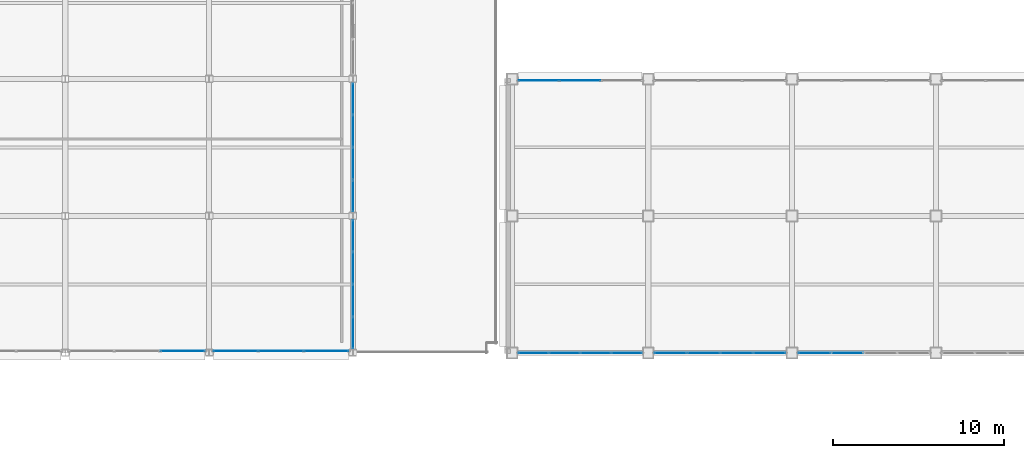
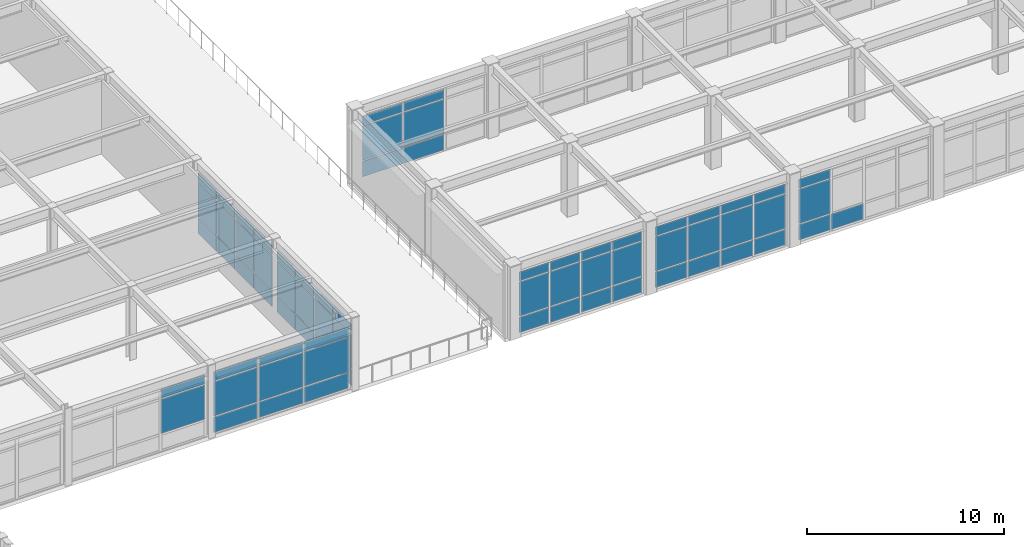
# One storey, part 66 of 93: 69 plates, 8 elements without a shape of their own.
"""IFC4 building model written with IfcOpenShell, lengths in metres."""

import ifcopenshell
import ifcopenshell.guid

model = None  # the IFC model being written
_history = None  # IfcOwnerHistory: only IFC2X3 demands one
_inside = {}  # id of a spatial element -> (the spatial element, [elements in it])
_under = {}  # id of a project, library or spatial element -> (it, [spatial elements below it])
_declared = {}  # id of a project -> (the project, [libraries it declares])
_typed = {}  # id of a type object -> (the type object, [elements of that type])
_made_of = {}  # id of a material, layer set ... -> (it, [elements and type objects made of it])


def new_model(schema):
    """Start an empty IFC model of exactly this schema.

    Asked for "IFC4X3", IfcOpenShell would pick the latest addendum, in which some entities
    have other attributes; the version numbers below select the first issue.
    IFC2X3 requires an IfcOwnerHistory on every rooted entity: one is made here for all.
    """
    global model, _history
    if schema == "IFC4X3":
        model = ifcopenshell.file(schema_version=(4, 3, 0, 0))
    else:
        model = ifcopenshell.file(schema=schema)
    _inside.clear()
    _under.clear()
    _declared.clear()
    _typed.clear()
    _made_of.clear()
    _history = None
    if model.schema == "IFC2X3":
        org = make("IfcOrganization", Name="unknown")
        user = make(
            "IfcPersonAndOrganization",
            ThePerson=make("IfcPerson", FamilyName="unknown"),
            TheOrganization=org,
        )
        app = make(
            "IfcApplication",
            ApplicationDeveloper=org,
            Version="unknown",
            ApplicationFullName="unknown",
            ApplicationIdentifier="unknown",
        )
        _history = make(
            "IfcOwnerHistory",
            OwningUser=user,
            OwningApplication=app,
            ChangeAction="ADDED",
            CreationDate=0,
        )
    return model


def make(cls, **values):
    """One entity of the class cls with the attributes given. An attribute that is None is left unset."""
    return model.create_entity(
        cls, **{name: value for name, value in values.items() if value is not None}
    )


def rooted(cls, **values):
    """An entity with a GlobalId (a new one), such as an element, a storey or a relation."""
    return make(cls, GlobalId=ifcopenshell.guid.new(), OwnerHistory=_history, **values)


def si_unit(unit_type, name, prefix=None):
    """IfcSIUnit, for example si_unit("LENGTHUNIT", "METRE", prefix="MILLI")."""
    return make("IfcSIUnit", UnitType=unit_type, Prefix=prefix, Name=name)


def assignment(units):
    """IfcUnitAssignment: the units of a project."""
    return None if units is None else make("IfcUnitAssignment", Units=units)


def point(xyz):
    """IfcCartesianPoint."""
    return None if xyz is None else make("IfcCartesianPoint", Coordinates=xyz)


def direction(xyz):
    """IfcDirection."""
    return None if xyz is None else make("IfcDirection", DirectionRatios=xyz)


def frame(location, z_axis=None, x_axis=None):
    """IfcAxis2Placement3D, a coordinate frame: its origin and axes. An axis left out is left unset."""
    return make(
        "IfcAxis2Placement3D",
        Location=point(location),
        Axis=direction(z_axis),
        RefDirection=direction(x_axis),
    )


def frame_2d(location, x_axis=None):
    """IfcAxis2Placement2D, a coordinate frame in the plane: its origin and x axis."""
    return make(
        "IfcAxis2Placement2D", Location=point(location), RefDirection=direction(x_axis)
    )


def origin():
    """The frame at (0, 0, 0) with its axes left unset."""
    return frame((0.0, 0.0, 0.0))


def origin_2d():
    """The frame at (0, 0) in the plane with its x axis left unset."""
    return frame_2d((0.0, 0.0))


def place(relative_to, where):
    """IfcLocalPlacement: puts the frame where relative to a parent placement (None: the world)."""
    return make(
        "IfcLocalPlacement", PlacementRelTo=relative_to, RelativePlacement=where
    )


def context(
    kind, dimensions, precision=None, world=None, true_north=None, identifier=None
):
    """IfcGeometricRepresentationContext, for example the 3D "Model" context."""
    return make(
        "IfcGeometricRepresentationContext",
        ContextIdentifier=identifier,
        ContextType=kind,
        CoordinateSpaceDimension=dimensions,
        Precision=precision,
        WorldCoordinateSystem=world,
        TrueNorth=true_north,
    )


def subcontext(parent, identifier, kind, view, scale=None):
    """IfcGeometricRepresentationSubContext, for example "Body" below "Model"."""
    return make(
        "IfcGeometricRepresentationSubContext",
        ContextIdentifier=identifier,
        ContextType=kind,
        ParentContext=parent,
        TargetScale=scale,
        TargetView=view,
    )


def project(units=None, contexts=None):
    """IfcProject with its units and contexts."""
    return rooted(
        "IfcProject",
        Name="project",
        RepresentationContexts=contexts,
        UnitsInContext=assignment(units),
    )


def spatial(cls, under=None, at=None, **own):
    """A site, building, storey or space (cls), placed at a placement, below another one or the project."""
    s = rooted(cls, ObjectPlacement=at, **own)
    if under is not None:
        _under.setdefault(under.id(), (under, []))[1].append(s)
    return s


def profile(cls, at=None, kind="AREA", **sizes):
    """A parametric profile (cls). Its sizes go by their IFC names, for example OverallWidth=200.0."""
    return make(cls, ProfileType=kind, Position=at, **sizes)


def rectangle(**sizes):
    """IfcRectangleProfileDef."""
    return profile("IfcRectangleProfileDef", **sizes)


def extrude(swept, where, along, depth):
    """IfcExtrudedAreaSolid: the profile swept, set in the frame where, extruded along a direction by depth."""
    return make(
        "IfcExtrudedAreaSolid",
        SweptArea=swept,
        Position=where,
        ExtrudedDirection=direction(along),
        Depth=depth,
    )


def shape(context_of_items, identifier, shape_type, items):
    """IfcShapeRepresentation: the items that make up one representation, for example the "Body"."""
    return make(
        "IfcShapeRepresentation",
        ContextOfItems=context_of_items,
        RepresentationIdentifier=identifier,
        RepresentationType=shape_type,
        Items=items,
    )


def material(Name=None, Category=None):
    """IfcMaterial."""
    return make("IfcMaterial", Name=Name, Category=Category)


def layer(
    of_material, thickness, ventilated=None, Name=None, Category=None, Priority=None
):
    """IfcMaterialLayer: one layer of a wall or slab, of a material (None: an air gap)."""
    return make(
        "IfcMaterialLayer",
        Material=of_material,
        LayerThickness=thickness,
        IsVentilated=ventilated,
        Name=Name,
        Category=Category,
        Priority=Priority,
    )


def layer_set(layers, Name=None):
    """IfcMaterialLayerSet."""
    return make("IfcMaterialLayerSet", MaterialLayers=layers, LayerSetName=Name)


def made_of(thing, what):
    """Note that an element or type object is made of a material, layer set ...; save() writes the relation."""
    if what is not None:
        _made_of.setdefault(what.id(), (what, []))[1].append(thing)
    return thing


def type_object(cls, material=None, **own):
    """A type object (cls), such as IfcWallType, which elements share."""
    return made_of(rooted(cls, **own), material)


def element(
    cls,
    number,
    at=None,
    inside=None,
    cuts=None,
    type_object=None,
    material=None,
    context=None,
    identifier="Body",
    shape_type=None,
    held_by="IfcProductDefinitionShape",
    body=None,
    shapes=None,
    **own,
):
    """One element of the class cls, such as IfcWall. Its Tag is "e" and its number.

    at: its placement. inside: the storey or other place that contains it. cuts: it is an
    opening in that element (IfcRelVoidsElement). A single representation is given by context,
    identifier, shape_type and body (its items); several are given by shapes. held_by: the class
    of the entity that holds the representations. save() writes the other relations.
    """
    e = rooted(cls, Tag="e%d" % number, ObjectPlacement=at, **own)
    if body is not None:
        shapes = [shape(context, identifier, shape_type, body)]
    if shapes is not None:
        e.Representation = make(held_by, Representations=shapes)
    if inside is not None:
        _inside.setdefault(inside.id(), (inside, []))[1].append(e)
    if cuts is not None:
        rooted(
            "IfcRelVoidsElement", RelatingBuildingElement=cuts, RelatedOpeningElement=e
        )
    if type_object is not None:
        _typed.setdefault(type_object.id(), (type_object, []))[1].append(e)
    return made_of(e, material)


def aggregate(whole, parts):
    """IfcRelAggregates: a whole, such as a stair, and the parts it consists of."""
    return rooted("IfcRelAggregates", RelatingObject=whole, RelatedObjects=parts)


def save(model, path):
    """Write the relations noted so far, then the file.

    IfcRelAggregates (storeys below a building ...), IfcRelContainedInSpatialStructure (elements
    in a storey), IfcRelDefinesByType, IfcRelAssociatesMaterial and IfcRelDeclares: one each for
    every whole, place, type object, material and project.
    """
    for whole, parts in _under.values():
        aggregate(whole, parts)
    for where, things in _inside.values():
        rooted(
            "IfcRelContainedInSpatialStructure",
            RelatedElements=things,
            RelatingStructure=where,
        )
    for kind, things in _typed.values():
        rooted("IfcRelDefinesByType", RelatedObjects=things, RelatingType=kind)
    for what, things in _made_of.values():
        rooted("IfcRelAssociatesMaterial", RelatedObjects=things, RelatingMaterial=what)
    for by, libraries in _declared.values():
        rooted("IfcRelDeclares", RelatingContext=by, RelatedDefinitions=libraries)
    model.write(path)


model = new_model("IFC4")

# Units and contexts
model_context = context("Model", 3, precision=1e-05, world=origin(), true_north=direction((0.0, 1.0)))
body_context = subcontext(model_context, "Body", "Model", "MODEL_VIEW")
ifc_project = project(units=[si_unit("LENGTHUNIT", "METRE"), si_unit("AREAUNIT", "SQUARE_METRE"), si_unit("VOLUMEUNIT", "CUBIC_METRE"), si_unit("PLANEANGLEUNIT", "RADIAN"), si_unit("MASSUNIT", "GRAM", prefix="KILO")], contexts=[model_context])

# Site, building, storey
site_placement = place(None, origin())
site = spatial("IfcSite", under=ifc_project, at=site_placement, CompositionType="ELEMENT")
building_placement = place(site_placement, origin())
building = spatial("IfcBuilding", under=site, at=building_placement, Name="Kazehara Bluff Congress Hotel", CompositionType="ELEMENT")
storey_placement = place(building_placement, frame((0.0, 0.0, 15.0)))
storey = spatial("IfcBuildingStorey", under=building, at=storey_placement, Name="L03", CompositionType="ELEMENT", Elevation=15.0)

# Curtain wall, plates
ifc_material_1 = material(Name="Anodised aluminium", Category="aluminium")
ifc_layer_1 = layer(ifc_material_1, 0.159912109375)
ifc_layer_set_1 = layer_set([ifc_layer_1], Name="Anodised aluminium")
curtain_wall_type_1 = type_object("IfcCurtainWallType", Name="TP-CW-10", PredefinedType="NOTDEFINED", material=ifc_layer_set_1)
curtain_wall_1_placement = place(storey_placement, origin())
curtain_wall_1 = element("IfcCurtainWall", 1, at=curtain_wall_1_placement, inside=storey, type_object=curtain_wall_type_1, Name="L03 curtain wall CW-10 CW-V4-L03-X10125-1620", PredefinedType="NOTDEFINED")
ifc_material_2 = material(Name="Insulated low-E double glazing", Category="glass")
ifc_layer_2 = layer(ifc_material_2, 0.028076171875)
ifc_layer_set_2 = layer_set([ifc_layer_2], Name="Insulated low-E double glazing")
plate_type = type_object("IfcPlateType", Name="TP-CWP-01", PredefinedType="CURTAIN_PANEL", material=ifc_layer_set_2)
plate_1_placement = place(storey_placement, frame((101.25, 17.166259765625, 0.06494140625), z_axis=(0.0, 0.0, 1.0), x_axis=(0.0, 1.0, 0.0)))
plate_1 = element("IfcPlate", 2, at=plate_1_placement, type_object=plate_type, Name="CW-10 panel 1.1", PredefinedType="CURTAIN_PANEL", context=body_context, shape_type="SweptSolid", body=[
    extrude(rectangle(XDim=1.802490234375, YDim=0.028076171875, at=origin_2d()), origin(), (0.0, 0.0, 1.0), 0.952392578125),
])
plate_2_placement = place(storey_placement, frame((101.25, 17.166259765625, 1.08251953125), z_axis=(0.0, 0.0, 1.0), x_axis=(0.0, 1.0, 0.0)))
plate_2 = element("IfcPlate", 3, at=plate_2_placement, type_object=plate_type, Name="CW-10 panel 1.2", PredefinedType="CURTAIN_PANEL", context=body_context, shape_type="SweptSolid", body=[
    extrude(rectangle(XDim=1.802490234375, YDim=0.028076171875, at=origin_2d()), origin(), (0.0, 0.0, 1.0), 2.1201171875),
])
plate_3_placement = place(storey_placement, frame((101.25, 17.166259765625, 3.267578125), z_axis=(0.0, 0.0, 1.0), x_axis=(0.0, 1.0, 0.0)))
plate_3 = element("IfcPlate", 4, at=plate_3_placement, type_object=plate_type, Name="CW-10 panel 1.3", PredefinedType="CURTAIN_PANEL", context=body_context, shape_type="SweptSolid", body=[
    extrude(rectangle(XDim=1.802490234375, YDim=0.028076171875, at=origin_2d()), origin(), (0.0, 0.0, 1.0), 0.552490234375),
])
plate_4_placement = place(storey_placement, frame((101.25, 19.050048828125, 0.06494140625), z_axis=(0.0, 0.0, 1.0), x_axis=(0.0, 1.0, 0.0)))
plate_4 = element("IfcPlate", 5, at=plate_4_placement, type_object=plate_type, Name="CW-10 panel 2.1", PredefinedType="CURTAIN_PANEL", context=body_context, shape_type="SweptSolid", body=[
    extrude(rectangle(XDim=1.8349609375, YDim=0.028076171875, at=origin_2d()), origin(), (0.0, 0.0, 1.0), 0.952392578125),
])
plate_5_placement = place(storey_placement, frame((101.25, 19.050048828125, 1.08251953125), z_axis=(0.0, 0.0, 1.0), x_axis=(0.0, 1.0, 0.0)))
plate_5 = element("IfcPlate", 6, at=plate_5_placement, type_object=plate_type, Name="CW-10 panel 2.2", PredefinedType="CURTAIN_PANEL", context=body_context, shape_type="SweptSolid", body=[
    extrude(rectangle(XDim=1.8349609375, YDim=0.028076171875, at=origin_2d()), origin(), (0.0, 0.0, 1.0), 2.1201171875),
])
plate_6_placement = place(storey_placement, frame((101.25, 19.050048828125, 3.267578125), z_axis=(0.0, 0.0, 1.0), x_axis=(0.0, 1.0, 0.0)))
plate_6 = element("IfcPlate", 7, at=plate_6_placement, type_object=plate_type, Name="CW-10 panel 2.3", PredefinedType="CURTAIN_PANEL", context=body_context, shape_type="SweptSolid", body=[
    extrude(rectangle(XDim=1.8349609375, YDim=0.028076171875, at=origin_2d()), origin(), (0.0, 0.0, 1.0), 0.552490234375),
])
plate_7_placement = place(storey_placement, frame((101.25, 20.949951171875, 0.06494140625), z_axis=(0.0, 0.0, 1.0), x_axis=(0.0, 1.0, 0.0)))
plate_7 = element("IfcPlate", 8, at=plate_7_placement, type_object=plate_type, Name="CW-10 panel 3.1", PredefinedType="CURTAIN_PANEL", context=body_context, shape_type="SweptSolid", body=[
    extrude(rectangle(XDim=1.8349609375, YDim=0.028076171875, at=origin_2d()), origin(), (0.0, 0.0, 1.0), 0.952392578125),
])
plate_8_placement = place(storey_placement, frame((101.25, 20.949951171875, 1.08251953125), z_axis=(0.0, 0.0, 1.0), x_axis=(0.0, 1.0, 0.0)))
plate_8 = element("IfcPlate", 9, at=plate_8_placement, type_object=plate_type, Name="CW-10 panel 3.2", PredefinedType="CURTAIN_PANEL", context=body_context, shape_type="SweptSolid", body=[
    extrude(rectangle(XDim=1.8349609375, YDim=0.028076171875, at=origin_2d()), origin(), (0.0, 0.0, 1.0), 2.1201171875),
])
plate_9_placement = place(storey_placement, frame((101.25, 20.949951171875, 3.267578125), z_axis=(0.0, 0.0, 1.0), x_axis=(0.0, 1.0, 0.0)))
plate_9 = element("IfcPlate", 10, at=plate_9_placement, type_object=plate_type, Name="CW-10 panel 3.3", PredefinedType="CURTAIN_PANEL", context=body_context, shape_type="SweptSolid", body=[
    extrude(rectangle(XDim=1.8349609375, YDim=0.028076171875, at=origin_2d()), origin(), (0.0, 0.0, 1.0), 0.552490234375),
])
plate_10_placement = place(storey_placement, frame((101.25, 22.833740234375, 0.06494140625), z_axis=(0.0, 0.0, 1.0), x_axis=(0.0, 1.0, 0.0)))
plate_10 = element("IfcPlate", 11, at=plate_10_placement, type_object=plate_type, Name="CW-10 panel 4.1", PredefinedType="CURTAIN_PANEL", context=body_context, shape_type="SweptSolid", body=[
    extrude(rectangle(XDim=1.802490234375, YDim=0.028076171875, at=origin_2d()), origin(), (0.0, 0.0, 1.0), 0.952392578125),
])
plate_11_placement = place(storey_placement, frame((101.25, 22.833740234375, 1.08251953125), z_axis=(0.0, 0.0, 1.0), x_axis=(0.0, 1.0, 0.0)))
plate_11 = element("IfcPlate", 12, at=plate_11_placement, type_object=plate_type, Name="CW-10 panel 4.2", PredefinedType="CURTAIN_PANEL", context=body_context, shape_type="SweptSolid", body=[
    extrude(rectangle(XDim=1.802490234375, YDim=0.028076171875, at=origin_2d()), origin(), (0.0, 0.0, 1.0), 2.1201171875),
])
plate_12_placement = place(storey_placement, frame((101.25, 22.833740234375, 3.267578125), z_axis=(0.0, 0.0, 1.0), x_axis=(0.0, 1.0, 0.0)))
plate_12 = element("IfcPlate", 13, at=plate_12_placement, type_object=plate_type, Name="CW-10 panel 4.3", PredefinedType="CURTAIN_PANEL", context=body_context, shape_type="SweptSolid", body=[
    extrude(rectangle(XDim=1.802490234375, YDim=0.028076171875, at=origin_2d()), origin(), (0.0, 0.0, 1.0), 0.552490234375),
])
aggregate(curtain_wall_1, [plate_1, plate_2, plate_3, plate_4, plate_5, plate_6, plate_7, plate_8, plate_9, plate_10, plate_11, plate_12])

curtain_wall_2_placement = place(storey_placement, origin())
curtain_wall_2 = element("IfcCurtainWall", 14, at=curtain_wall_2_placement, inside=storey, type_object=curtain_wall_type_1, Name="L03 curtain wall CW-10 CW-V4-L03-X10125-2420", PredefinedType="NOTDEFINED")
plate_13_placement = place(storey_placement, frame((101.25, 25.166259765625, 0.06494140625), z_axis=(0.0, 0.0, 1.0), x_axis=(0.0, 1.0, 0.0)))
plate_13 = element("IfcPlate", 15, at=plate_13_placement, type_object=plate_type, Name="CW-10 panel 1.1", PredefinedType="CURTAIN_PANEL", context=body_context, shape_type="SweptSolid", body=[
    extrude(rectangle(XDim=1.802490234375, YDim=0.028076171875, at=origin_2d()), origin(), (0.0, 0.0, 1.0), 0.952392578125),
])
plate_14_placement = place(storey_placement, frame((101.25, 25.166259765625, 1.08251953125), z_axis=(0.0, 0.0, 1.0), x_axis=(0.0, 1.0, 0.0)))
plate_14 = element("IfcPlate", 16, at=plate_14_placement, type_object=plate_type, Name="CW-10 panel 1.2", PredefinedType="CURTAIN_PANEL", context=body_context, shape_type="SweptSolid", body=[
    extrude(rectangle(XDim=1.802490234375, YDim=0.028076171875, at=origin_2d()), origin(), (0.0, 0.0, 1.0), 2.1201171875),
])
plate_15_placement = place(storey_placement, frame((101.25, 25.166259765625, 3.267578125), z_axis=(0.0, 0.0, 1.0), x_axis=(0.0, 1.0, 0.0)))
plate_15 = element("IfcPlate", 17, at=plate_15_placement, type_object=plate_type, Name="CW-10 panel 1.3", PredefinedType="CURTAIN_PANEL", context=body_context, shape_type="SweptSolid", body=[
    extrude(rectangle(XDim=1.802490234375, YDim=0.028076171875, at=origin_2d()), origin(), (0.0, 0.0, 1.0), 0.552490234375),
])
plate_16_placement = place(storey_placement, frame((101.25, 27.050048828125, 0.06494140625), z_axis=(0.0, 0.0, 1.0), x_axis=(0.0, 1.0, 0.0)))
plate_16 = element("IfcPlate", 18, at=plate_16_placement, type_object=plate_type, Name="CW-10 panel 2.1", PredefinedType="CURTAIN_PANEL", context=body_context, shape_type="SweptSolid", body=[
    extrude(rectangle(XDim=1.8349609375, YDim=0.028076171875, at=origin_2d()), origin(), (0.0, 0.0, 1.0), 0.952392578125),
])
plate_17_placement = place(storey_placement, frame((101.25, 27.050048828125, 1.08251953125), z_axis=(0.0, 0.0, 1.0), x_axis=(0.0, 1.0, 0.0)))
plate_17 = element("IfcPlate", 19, at=plate_17_placement, type_object=plate_type, Name="CW-10 panel 2.2", PredefinedType="CURTAIN_PANEL", context=body_context, shape_type="SweptSolid", body=[
    extrude(rectangle(XDim=1.8349609375, YDim=0.028076171875, at=origin_2d()), origin(), (0.0, 0.0, 1.0), 2.1201171875),
])
plate_18_placement = place(storey_placement, frame((101.25, 27.050048828125, 3.267578125), z_axis=(0.0, 0.0, 1.0), x_axis=(0.0, 1.0, 0.0)))
plate_18 = element("IfcPlate", 20, at=plate_18_placement, type_object=plate_type, Name="CW-10 panel 2.3", PredefinedType="CURTAIN_PANEL", context=body_context, shape_type="SweptSolid", body=[
    extrude(rectangle(XDim=1.8349609375, YDim=0.028076171875, at=origin_2d()), origin(), (0.0, 0.0, 1.0), 0.552490234375),
])
plate_19_placement = place(storey_placement, frame((101.25, 28.949951171875, 0.06494140625), z_axis=(0.0, 0.0, 1.0), x_axis=(0.0, 1.0, 0.0)))
plate_19 = element("IfcPlate", 21, at=plate_19_placement, type_object=plate_type, Name="CW-10 panel 3.1", PredefinedType="CURTAIN_PANEL", context=body_context, shape_type="SweptSolid", body=[
    extrude(rectangle(XDim=1.8349609375, YDim=0.028076171875, at=origin_2d()), origin(), (0.0, 0.0, 1.0), 0.952392578125),
])
plate_20_placement = place(storey_placement, frame((101.25, 28.949951171875, 1.08251953125), z_axis=(0.0, 0.0, 1.0), x_axis=(0.0, 1.0, 0.0)))
plate_20 = element("IfcPlate", 22, at=plate_20_placement, type_object=plate_type, Name="CW-10 panel 3.2", PredefinedType="CURTAIN_PANEL", context=body_context, shape_type="SweptSolid", body=[
    extrude(rectangle(XDim=1.8349609375, YDim=0.028076171875, at=origin_2d()), origin(), (0.0, 0.0, 1.0), 2.1201171875),
])
plate_21_placement = place(storey_placement, frame((101.25, 28.949951171875, 3.267578125), z_axis=(0.0, 0.0, 1.0), x_axis=(0.0, 1.0, 0.0)))
plate_21 = element("IfcPlate", 23, at=plate_21_placement, type_object=plate_type, Name="CW-10 panel 3.3", PredefinedType="CURTAIN_PANEL", context=body_context, shape_type="SweptSolid", body=[
    extrude(rectangle(XDim=1.8349609375, YDim=0.028076171875, at=origin_2d()), origin(), (0.0, 0.0, 1.0), 0.552490234375),
])
plate_22_placement = place(storey_placement, frame((101.25, 30.833740234375, 0.06494140625), z_axis=(0.0, 0.0, 1.0), x_axis=(0.0, 1.0, 0.0)))
plate_22 = element("IfcPlate", 24, at=plate_22_placement, type_object=plate_type, Name="CW-10 panel 4.1", PredefinedType="CURTAIN_PANEL", context=body_context, shape_type="SweptSolid", body=[
    extrude(rectangle(XDim=1.802490234375, YDim=0.028076171875, at=origin_2d()), origin(), (0.0, 0.0, 1.0), 0.952392578125),
])
plate_23_placement = place(storey_placement, frame((101.25, 30.833740234375, 1.08251953125), z_axis=(0.0, 0.0, 1.0), x_axis=(0.0, 1.0, 0.0)))
plate_23 = element("IfcPlate", 25, at=plate_23_placement, type_object=plate_type, Name="CW-10 panel 4.2", PredefinedType="CURTAIN_PANEL", context=body_context, shape_type="SweptSolid", body=[
    extrude(rectangle(XDim=1.802490234375, YDim=0.028076171875, at=origin_2d()), origin(), (0.0, 0.0, 1.0), 2.1201171875),
])
plate_24_placement = place(storey_placement, frame((101.25, 30.833740234375, 3.267578125), z_axis=(0.0, 0.0, 1.0), x_axis=(0.0, 1.0, 0.0)))
plate_24 = element("IfcPlate", 26, at=plate_24_placement, type_object=plate_type, Name="CW-10 panel 4.3", PredefinedType="CURTAIN_PANEL", context=body_context, shape_type="SweptSolid", body=[
    extrude(rectangle(XDim=1.802490234375, YDim=0.028076171875, at=origin_2d()), origin(), (0.0, 0.0, 1.0), 0.552490234375),
])
aggregate(curtain_wall_2, [plate_13, plate_14, plate_15, plate_16, plate_17, plate_18, plate_19, plate_20, plate_21, plate_22, plate_23, plate_24])

ifc_material_3 = material(Name="Anodised aluminium", Category="aluminium")
ifc_layer_3 = layer(ifc_material_3, 0.159912109375)
ifc_layer_set_3 = layer_set([ifc_layer_3], Name="Anodised aluminium")
curtain_wall_type_2 = type_object("IfcCurtainWallType", Name="TP-CW-80", PredefinedType="NOTDEFINED", material=ifc_layer_set_3)
curtain_wall_3_placement = place(storey_placement, origin())
curtain_wall_3 = element("IfcCurtainWall", 27, at=curtain_wall_3_placement, inside=storey, type_object=curtain_wall_type_2, Name="L03 curtain wall CW-80 CW-V5-L03-Y1600-11088", PredefinedType="NOTDEFINED")
plate_25_placement = place(storey_placement, frame((111.8037109375, 16.0, 0.06494140625), z_axis=(0.0, 0.0, 1.0), x_axis=(1.0, 0.0, 0.0)))
plate_25 = element("IfcPlate", 28, at=plate_25_placement, type_object=plate_type, Name="CW-80 panel 1.1", PredefinedType="CURTAIN_PANEL", context=body_context, shape_type="SweptSolid", body=[
    extrude(rectangle(XDim=1.7275390625, YDim=0.028076171875, at=origin_2d()), origin(), (0.0, 0.0, 1.0), 0.952392578125),
])
plate_26_placement = place(storey_placement, frame((111.8037109375, 16.0, 1.08251953125), z_axis=(0.0, 0.0, 1.0), x_axis=(1.0, 0.0, 0.0)))
plate_26 = element("IfcPlate", 29, at=plate_26_placement, type_object=plate_type, Name="CW-80 panel 1.2", PredefinedType="CURTAIN_PANEL", context=body_context, shape_type="SweptSolid", body=[
    extrude(rectangle(XDim=1.7275390625, YDim=0.028076171875, at=origin_2d()), origin(), (0.0, 0.0, 1.0), 2.1201171875),
])
plate_27_placement = place(storey_placement, frame((111.8037109375, 16.0, 3.267578125), z_axis=(0.0, 0.0, 1.0), x_axis=(1.0, 0.0, 0.0)))
plate_27 = element("IfcPlate", 30, at=plate_27_placement, type_object=plate_type, Name="CW-80 panel 1.3", PredefinedType="CURTAIN_PANEL", context=body_context, shape_type="SweptSolid", body=[
    extrude(rectangle(XDim=1.7275390625, YDim=0.028076171875, at=origin_2d()), origin(), (0.0, 0.0, 1.0), 0.552490234375),
])
plate_28_placement = place(storey_placement, frame((113.612548828125, 16.0, 0.06494140625), z_axis=(0.0, 0.0, 1.0), x_axis=(1.0, 0.0, 0.0)))
plate_28 = element("IfcPlate", 31, at=plate_28_placement, type_object=plate_type, Name="CW-80 panel 2.1", PredefinedType="CURTAIN_PANEL", context=body_context, shape_type="SweptSolid", body=[
    extrude(rectangle(XDim=1.760009765625, YDim=0.028076171875, at=origin_2d()), origin(), (0.0, 0.0, 1.0), 0.952392578125),
])
plate_29_placement = place(storey_placement, frame((113.612548828125, 16.0, 1.08251953125), z_axis=(0.0, 0.0, 1.0), x_axis=(1.0, 0.0, 0.0)))
plate_29 = element("IfcPlate", 32, at=plate_29_placement, type_object=plate_type, Name="CW-80 panel 2.2", PredefinedType="CURTAIN_PANEL", context=body_context, shape_type="SweptSolid", body=[
    extrude(rectangle(XDim=1.760009765625, YDim=0.028076171875, at=origin_2d()), origin(), (0.0, 0.0, 1.0), 2.1201171875),
])
plate_30_placement = place(storey_placement, frame((113.612548828125, 16.0, 3.267578125), z_axis=(0.0, 0.0, 1.0), x_axis=(1.0, 0.0, 0.0)))
plate_30 = element("IfcPlate", 33, at=plate_30_placement, type_object=plate_type, Name="CW-80 panel 2.3", PredefinedType="CURTAIN_PANEL", context=body_context, shape_type="SweptSolid", body=[
    extrude(rectangle(XDim=1.760009765625, YDim=0.028076171875, at=origin_2d()), origin(), (0.0, 0.0, 1.0), 0.552490234375),
])
plate_31_placement = place(storey_placement, frame((115.4375, 16.0, 0.06494140625), z_axis=(0.0, 0.0, 1.0), x_axis=(1.0, 0.0, 0.0)))
plate_31 = element("IfcPlate", 34, at=plate_31_placement, type_object=plate_type, Name="CW-80 panel 3.1", PredefinedType="CURTAIN_PANEL", context=body_context, shape_type="SweptSolid", body=[
    extrude(rectangle(XDim=1.760009765625, YDim=0.028076171875, at=origin_2d()), origin(), (0.0, 0.0, 1.0), 0.952392578125),
])
plate_32_placement = place(storey_placement, frame((115.4375, 16.0, 1.08251953125), z_axis=(0.0, 0.0, 1.0), x_axis=(1.0, 0.0, 0.0)))
plate_32 = element("IfcPlate", 35, at=plate_32_placement, type_object=plate_type, Name="CW-80 panel 3.2", PredefinedType="CURTAIN_PANEL", context=body_context, shape_type="SweptSolid", body=[
    extrude(rectangle(XDim=1.760009765625, YDim=0.028076171875, at=origin_2d()), origin(), (0.0, 0.0, 1.0), 2.1201171875),
])
plate_33_placement = place(storey_placement, frame((115.4375, 16.0, 3.267578125), z_axis=(0.0, 0.0, 1.0), x_axis=(1.0, 0.0, 0.0)))
plate_33 = element("IfcPlate", 36, at=plate_33_placement, type_object=plate_type, Name="CW-80 panel 3.3", PredefinedType="CURTAIN_PANEL", context=body_context, shape_type="SweptSolid", body=[
    extrude(rectangle(XDim=1.760009765625, YDim=0.028076171875, at=origin_2d()), origin(), (0.0, 0.0, 1.0), 0.552490234375),
])
plate_34_placement = place(storey_placement, frame((117.246337890625, 16.0, 0.06494140625), z_axis=(0.0, 0.0, 1.0), x_axis=(1.0, 0.0, 0.0)))
plate_34 = element("IfcPlate", 37, at=plate_34_placement, type_object=plate_type, Name="CW-80 panel 4.1", PredefinedType="CURTAIN_PANEL", context=body_context, shape_type="SweptSolid", body=[
    extrude(rectangle(XDim=1.7275390625, YDim=0.028076171875, at=origin_2d()), origin(), (0.0, 0.0, 1.0), 0.952392578125),
])
plate_35_placement = place(storey_placement, frame((117.246337890625, 16.0, 1.08251953125), z_axis=(0.0, 0.0, 1.0), x_axis=(1.0, 0.0, 0.0)))
plate_35 = element("IfcPlate", 38, at=plate_35_placement, type_object=plate_type, Name="CW-80 panel 4.2", PredefinedType="CURTAIN_PANEL", context=body_context, shape_type="SweptSolid", body=[
    extrude(rectangle(XDim=1.7275390625, YDim=0.028076171875, at=origin_2d()), origin(), (0.0, 0.0, 1.0), 2.1201171875),
])
plate_36_placement = place(storey_placement, frame((117.246337890625, 16.0, 3.267578125), z_axis=(0.0, 0.0, 1.0), x_axis=(1.0, 0.0, 0.0)))
plate_36 = element("IfcPlate", 39, at=plate_36_placement, type_object=plate_type, Name="CW-80 panel 4.3", PredefinedType="CURTAIN_PANEL", context=body_context, shape_type="SweptSolid", body=[
    extrude(rectangle(XDim=1.7275390625, YDim=0.028076171875, at=origin_2d()), origin(), (0.0, 0.0, 1.0), 0.552490234375),
])
aggregate(curtain_wall_3, [plate_25, plate_26, plate_27, plate_28, plate_29, plate_30, plate_31, plate_32, plate_33, plate_34, plate_35, plate_36])

ifc_material_4 = material(Name="Anodised aluminium", Category="aluminium")
ifc_layer_4 = layer(ifc_material_4, 0.159912109375)
ifc_layer_set_4 = layer_set([ifc_layer_4], Name="Anodised aluminium")
curtain_wall_type_3 = type_object("IfcCurtainWallType", Name="TP-CW-24", PredefinedType="NOTDEFINED", material=ifc_layer_set_4)
curtain_wall_4_placement = place(storey_placement, origin())
curtain_wall_4 = element("IfcCurtainWall", 40, at=curtain_wall_4_placement, inside=storey, type_object=curtain_wall_type_3, Name="L03 curtain wall CW-24 CW-V5-L03-Y1600-11882", PredefinedType="NOTDEFINED")
plate_37_placement = place(storey_placement, frame((119.81005859375, 16.0, 0.06494140625), z_axis=(0.0, 0.0, 1.0), x_axis=(1.0, 0.0, 0.0)))
plate_37 = element("IfcPlate", 41, at=plate_37_placement, type_object=plate_type, Name="CW-24 panel 1.1", PredefinedType="CURTAIN_PANEL", context=body_context, shape_type="SweptSolid", body=[
    extrude(rectangle(XDim=1.840087890625, YDim=0.028076171875, at=origin_2d()), origin(), (0.0, 0.0, 1.0), 0.952392578125),
])
plate_38_placement = place(storey_placement, frame((119.81005859375, 16.0, 1.08251953125), z_axis=(0.0, 0.0, 1.0), x_axis=(1.0, 0.0, 0.0)))
plate_38 = element("IfcPlate", 42, at=plate_38_placement, type_object=plate_type, Name="CW-24 panel 1.2", PredefinedType="CURTAIN_PANEL", context=body_context, shape_type="SweptSolid", body=[
    extrude(rectangle(XDim=1.840087890625, YDim=0.028076171875, at=origin_2d()), origin(), (0.0, 0.0, 1.0), 2.1201171875),
])
plate_39_placement = place(storey_placement, frame((119.81005859375, 16.0, 3.267578125), z_axis=(0.0, 0.0, 1.0), x_axis=(1.0, 0.0, 0.0)))
plate_39 = element("IfcPlate", 43, at=plate_39_placement, type_object=plate_type, Name="CW-24 panel 1.3", PredefinedType="CURTAIN_PANEL", context=body_context, shape_type="SweptSolid", body=[
    extrude(rectangle(XDim=1.840087890625, YDim=0.028076171875, at=origin_2d()), origin(), (0.0, 0.0, 1.0), 0.552490234375),
])
plate_40_placement = place(storey_placement, frame((121.731201171875, 16.0, 0.06494140625), z_axis=(0.0, 0.0, 1.0), x_axis=(1.0, 0.0, 0.0)))
plate_40 = element("IfcPlate", 44, at=plate_40_placement, type_object=plate_type, Name="CW-24 panel 2.1", PredefinedType="CURTAIN_PANEL", context=body_context, shape_type="SweptSolid", body=[
    extrude(rectangle(XDim=1.87255859375, YDim=0.028076171875, at=origin_2d()), origin(), (0.0, 0.0, 1.0), 0.952392578125),
])
plate_41_placement = place(storey_placement, frame((121.731201171875, 16.0, 1.08251953125), z_axis=(0.0, 0.0, 1.0), x_axis=(1.0, 0.0, 0.0)))
plate_41 = element("IfcPlate", 45, at=plate_41_placement, type_object=plate_type, Name="CW-24 panel 2.2", PredefinedType="CURTAIN_PANEL", context=body_context, shape_type="SweptSolid", body=[
    extrude(rectangle(XDim=1.87255859375, YDim=0.028076171875, at=origin_2d()), origin(), (0.0, 0.0, 1.0), 2.1201171875),
])
plate_42_placement = place(storey_placement, frame((121.731201171875, 16.0, 3.267578125), z_axis=(0.0, 0.0, 1.0), x_axis=(1.0, 0.0, 0.0)))
plate_42 = element("IfcPlate", 46, at=plate_42_placement, type_object=plate_type, Name="CW-24 panel 2.3", PredefinedType="CURTAIN_PANEL", context=body_context, shape_type="SweptSolid", body=[
    extrude(rectangle(XDim=1.87255859375, YDim=0.028076171875, at=origin_2d()), origin(), (0.0, 0.0, 1.0), 0.552490234375),
])
plate_43_placement = place(storey_placement, frame((123.668701171875, 16.0, 0.06494140625), z_axis=(0.0, 0.0, 1.0), x_axis=(1.0, 0.0, 0.0)))
plate_43 = element("IfcPlate", 47, at=plate_43_placement, type_object=plate_type, Name="CW-24 panel 3.1", PredefinedType="CURTAIN_PANEL", context=body_context, shape_type="SweptSolid", body=[
    extrude(rectangle(XDim=1.87255859375, YDim=0.028076171875, at=origin_2d()), origin(), (0.0, 0.0, 1.0), 0.952392578125),
])
plate_44_placement = place(storey_placement, frame((123.668701171875, 16.0, 1.08251953125), z_axis=(0.0, 0.0, 1.0), x_axis=(1.0, 0.0, 0.0)))
plate_44 = element("IfcPlate", 48, at=plate_44_placement, type_object=plate_type, Name="CW-24 panel 3.2", PredefinedType="CURTAIN_PANEL", context=body_context, shape_type="SweptSolid", body=[
    extrude(rectangle(XDim=1.87255859375, YDim=0.028076171875, at=origin_2d()), origin(), (0.0, 0.0, 1.0), 2.1201171875),
])
plate_45_placement = place(storey_placement, frame((123.668701171875, 16.0, 3.267578125), z_axis=(0.0, 0.0, 1.0), x_axis=(1.0, 0.0, 0.0)))
plate_45 = element("IfcPlate", 49, at=plate_45_placement, type_object=plate_type, Name="CW-24 panel 3.3", PredefinedType="CURTAIN_PANEL", context=body_context, shape_type="SweptSolid", body=[
    extrude(rectangle(XDim=1.87255859375, YDim=0.028076171875, at=origin_2d()), origin(), (0.0, 0.0, 1.0), 0.552490234375),
])
plate_46_placement = place(storey_placement, frame((125.590087890625, 16.0, 0.06494140625), z_axis=(0.0, 0.0, 1.0), x_axis=(1.0, 0.0, 0.0)))
plate_46 = element("IfcPlate", 50, at=plate_46_placement, type_object=plate_type, Name="CW-24 panel 4.1", PredefinedType="CURTAIN_PANEL", context=body_context, shape_type="SweptSolid", body=[
    extrude(rectangle(XDim=1.840087890625, YDim=0.028076171875, at=origin_2d()), origin(), (0.0, 0.0, 1.0), 0.952392578125),
])
plate_47_placement = place(storey_placement, frame((125.590087890625, 16.0, 1.08251953125), z_axis=(0.0, 0.0, 1.0), x_axis=(1.0, 0.0, 0.0)))
plate_47 = element("IfcPlate", 51, at=plate_47_placement, type_object=plate_type, Name="CW-24 panel 4.2", PredefinedType="CURTAIN_PANEL", context=body_context, shape_type="SweptSolid", body=[
    extrude(rectangle(XDim=1.840087890625, YDim=0.028076171875, at=origin_2d()), origin(), (0.0, 0.0, 1.0), 2.1201171875),
])
plate_48_placement = place(storey_placement, frame((125.590087890625, 16.0, 3.267578125), z_axis=(0.0, 0.0, 1.0), x_axis=(1.0, 0.0, 0.0)))
plate_48 = element("IfcPlate", 52, at=plate_48_placement, type_object=plate_type, Name="CW-24 panel 4.3", PredefinedType="CURTAIN_PANEL", context=body_context, shape_type="SweptSolid", body=[
    extrude(rectangle(XDim=1.840087890625, YDim=0.028076171875, at=origin_2d()), origin(), (0.0, 0.0, 1.0), 0.552490234375),
])
aggregate(curtain_wall_4, [plate_37, plate_38, plate_39, plate_40, plate_41, plate_42, plate_43, plate_44, plate_45, plate_46, plate_47, plate_48])

curtain_wall_5_placement = place(storey_placement, origin())
curtain_wall_5 = element("IfcCurtainWall", 53, at=curtain_wall_5_placement, inside=storey, type_object=curtain_wall_type_3, Name="L03 curtain wall CW-24 CW-V5-L03-Y1600-12722", PredefinedType="NOTDEFINED")
plate_49_placement = place(storey_placement, frame((128.2099609375, 16.0, 0.06494140625), z_axis=(0.0, 0.0, 1.0), x_axis=(1.0, 0.0, 0.0)))
plate_49 = element("IfcPlate", 54, at=plate_49_placement, type_object=plate_type, Name="CW-24 panel 1.1", PredefinedType="CURTAIN_PANEL", context=body_context, shape_type="SweptSolid", body=[
    extrude(rectangle(XDim=1.840087890625, YDim=0.028076171875, at=origin_2d()), origin(), (0.0, 0.0, 1.0), 0.952392578125),
])
plate_50_placement = place(storey_placement, frame((128.2099609375, 16.0, 1.08251953125), z_axis=(0.0, 0.0, 1.0), x_axis=(1.0, 0.0, 0.0)))
plate_50 = element("IfcPlate", 55, at=plate_50_placement, type_object=plate_type, Name="CW-24 panel 1.2", PredefinedType="CURTAIN_PANEL", context=body_context, shape_type="SweptSolid", body=[
    extrude(rectangle(XDim=1.840087890625, YDim=0.028076171875, at=origin_2d()), origin(), (0.0, 0.0, 1.0), 2.1201171875),
])
plate_51_placement = place(storey_placement, frame((128.2099609375, 16.0, 3.267578125), z_axis=(0.0, 0.0, 1.0), x_axis=(1.0, 0.0, 0.0)))
plate_51 = element("IfcPlate", 56, at=plate_51_placement, type_object=plate_type, Name="CW-24 panel 1.3", PredefinedType="CURTAIN_PANEL", context=body_context, shape_type="SweptSolid", body=[
    extrude(rectangle(XDim=1.840087890625, YDim=0.028076171875, at=origin_2d()), origin(), (0.0, 0.0, 1.0), 0.552490234375),
])
plate_52_placement = place(storey_placement, frame((130.13134765625, 16.0, 0.06494140625), z_axis=(0.0, 0.0, 1.0), x_axis=(1.0, 0.0, 0.0)))
plate_52 = element("IfcPlate", 57, at=plate_52_placement, type_object=plate_type, Name="CW-24 panel 2.1", PredefinedType="CURTAIN_PANEL", context=body_context, shape_type="SweptSolid", body=[
    extrude(rectangle(XDim=1.87255859375, YDim=0.028076171875, at=origin_2d()), origin(), (0.0, 0.0, 1.0), 0.952392578125),
])
aggregate(curtain_wall_5, [plate_49, plate_50, plate_51, plate_52])

ifc_material_5 = material(Name="Anodised aluminium", Category="aluminium")
ifc_layer_5 = layer(ifc_material_5, 0.159912109375)
ifc_layer_set_5 = layer_set([ifc_layer_5], Name="Anodised aluminium")
curtain_wall_type_4 = type_object("IfcCurtainWallType", Name="TP-CW-143", PredefinedType="NOTDEFINED", material=ifc_layer_set_5)
curtain_wall_6_placement = place(storey_placement, origin())
curtain_wall_6 = element("IfcCurtainWall", 58, at=curtain_wall_6_placement, inside=storey, type_object=curtain_wall_type_4, Name="L03 curtain wall CW-143 CW-ENC-V4-L03-8865-1610", PredefinedType="NOTDEFINED")
plate_53_placement = place(storey_placement, frame((91.300537109375, 16.10009765625, 1.08251953125), z_axis=(0.0, 0.0, 1.0), x_axis=(-1.0, 0.0, 0.0)))
plate_53 = element("IfcPlate", 59, at=plate_53_placement, type_object=plate_type, Name="CW-143 panel 1.2", PredefinedType="CURTAIN_PANEL", context=body_context, shape_type="SweptSolid", body=[
    extrude(rectangle(XDim=2.569091796875, YDim=0.028076171875, at=origin_2d()), origin(), (0.0, 0.0, 1.0), 2.1201171875),
])
plate_54_placement = place(storey_placement, frame((91.300537109375, 16.10009765625, 3.267578125), z_axis=(0.0, 0.0, 1.0), x_axis=(-1.0, 0.0, 0.0)))
plate_54 = element("IfcPlate", 60, at=plate_54_placement, type_object=plate_type, Name="CW-143 panel 1.3", PredefinedType="CURTAIN_PANEL", context=body_context, shape_type="SweptSolid", body=[
    extrude(rectangle(XDim=2.569091796875, YDim=0.028076171875, at=origin_2d()), origin(), (0.0, 0.0, 1.0), 0.552490234375),
])
aggregate(curtain_wall_6, [plate_53, plate_54])

curtain_wall_7_placement = place(storey_placement, origin())
curtain_wall_7 = element("IfcCurtainWall", 61, at=curtain_wall_7_placement, inside=storey, type_object=curtain_wall_type_4, Name="L03 curtain wall CW-143 CW-ENC-V4-L03-9705-1610", PredefinedType="NOTDEFINED")
plate_55_placement = place(storey_placement, frame((99.700439453125, 16.10009765625, 0.06494140625), z_axis=(0.0, 0.0, 1.0), x_axis=(-1.0, 0.0, 0.0)))
plate_55 = element("IfcPlate", 62, at=plate_55_placement, type_object=plate_type, Name="CW-143 panel 1.1", PredefinedType="CURTAIN_PANEL", context=body_context, shape_type="SweptSolid", body=[
    extrude(rectangle(XDim=2.569091796875, YDim=0.028076171875, at=origin_2d()), origin(), (0.0, 0.0, 1.0), 0.952392578125),
])
plate_56_placement = place(storey_placement, frame((99.700439453125, 16.10009765625, 1.08251953125), z_axis=(0.0, 0.0, 1.0), x_axis=(-1.0, 0.0, 0.0)))
plate_56 = element("IfcPlate", 63, at=plate_56_placement, type_object=plate_type, Name="CW-143 panel 1.2", PredefinedType="CURTAIN_PANEL", context=body_context, shape_type="SweptSolid", body=[
    extrude(rectangle(XDim=2.569091796875, YDim=0.028076171875, at=origin_2d()), origin(), (0.0, 0.0, 1.0), 2.1201171875),
])
plate_57_placement = place(storey_placement, frame((99.700439453125, 16.10009765625, 3.267578125), z_axis=(0.0, 0.0, 1.0), x_axis=(-1.0, 0.0, 0.0)))
plate_57 = element("IfcPlate", 64, at=plate_57_placement, type_object=plate_type, Name="CW-143 panel 1.3", PredefinedType="CURTAIN_PANEL", context=body_context, shape_type="SweptSolid", body=[
    extrude(rectangle(XDim=2.569091796875, YDim=0.028076171875, at=origin_2d()), origin(), (0.0, 0.0, 1.0), 0.552490234375),
])
plate_58_placement = place(storey_placement, frame((97.050048828125, 16.10009765625, 0.06494140625), z_axis=(0.0, 0.0, 1.0), x_axis=(-1.0, 0.0, 0.0)))
plate_58 = element("IfcPlate", 65, at=plate_58_placement, type_object=plate_type, Name="CW-143 panel 2.1", PredefinedType="CURTAIN_PANEL", context=body_context, shape_type="SweptSolid", body=[
    extrude(rectangle(XDim=2.6015625, YDim=0.028076171875, at=origin_2d()), origin(), (0.0, 0.0, 1.0), 0.952392578125),
])
plate_59_placement = place(storey_placement, frame((97.050048828125, 16.10009765625, 1.08251953125), z_axis=(0.0, 0.0, 1.0), x_axis=(-1.0, 0.0, 0.0)))
plate_59 = element("IfcPlate", 66, at=plate_59_placement, type_object=plate_type, Name="CW-143 panel 2.2", PredefinedType="CURTAIN_PANEL", context=body_context, shape_type="SweptSolid", body=[
    extrude(rectangle(XDim=2.6015625, YDim=0.028076171875, at=origin_2d()), origin(), (0.0, 0.0, 1.0), 2.1201171875),
])
plate_60_placement = place(storey_placement, frame((97.050048828125, 16.10009765625, 3.267578125), z_axis=(0.0, 0.0, 1.0), x_axis=(-1.0, 0.0, 0.0)))
plate_60 = element("IfcPlate", 67, at=plate_60_placement, type_object=plate_type, Name="CW-143 panel 2.3", PredefinedType="CURTAIN_PANEL", context=body_context, shape_type="SweptSolid", body=[
    extrude(rectangle(XDim=2.6015625, YDim=0.028076171875, at=origin_2d()), origin(), (0.0, 0.0, 1.0), 0.552490234375),
])
plate_61_placement = place(storey_placement, frame((94.399658203125, 16.10009765625, 0.06494140625), z_axis=(0.0, 0.0, 1.0), x_axis=(-1.0, 0.0, 0.0)))
plate_61 = element("IfcPlate", 68, at=plate_61_placement, type_object=plate_type, Name="CW-143 panel 3.1", PredefinedType="CURTAIN_PANEL", context=body_context, shape_type="SweptSolid", body=[
    extrude(rectangle(XDim=2.569091796875, YDim=0.028076171875, at=origin_2d()), origin(), (0.0, 0.0, 1.0), 0.952392578125),
])
plate_62_placement = place(storey_placement, frame((94.399658203125, 16.10009765625, 1.08251953125), z_axis=(0.0, 0.0, 1.0), x_axis=(-1.0, 0.0, 0.0)))
plate_62 = element("IfcPlate", 69, at=plate_62_placement, type_object=plate_type, Name="CW-143 panel 3.2", PredefinedType="CURTAIN_PANEL", context=body_context, shape_type="SweptSolid", body=[
    extrude(rectangle(XDim=2.569091796875, YDim=0.028076171875, at=origin_2d()), origin(), (0.0, 0.0, 1.0), 2.1201171875),
])
plate_63_placement = place(storey_placement, frame((94.399658203125, 16.10009765625, 3.267578125), z_axis=(0.0, 0.0, 1.0), x_axis=(-1.0, 0.0, 0.0)))
plate_63 = element("IfcPlate", 70, at=plate_63_placement, type_object=plate_type, Name="CW-143 panel 3.3", PredefinedType="CURTAIN_PANEL", context=body_context, shape_type="SweptSolid", body=[
    extrude(rectangle(XDim=2.569091796875, YDim=0.028076171875, at=origin_2d()), origin(), (0.0, 0.0, 1.0), 0.552490234375),
])
aggregate(curtain_wall_7, [plate_55, plate_56, plate_57, plate_58, plate_59, plate_60, plate_61, plate_62, plate_63])

curtain_wall_8_placement = place(storey_placement, origin())
curtain_wall_8 = element("IfcCurtainWall", 71, at=curtain_wall_8_placement, inside=storey, type_object=curtain_wall_type_2, Name="L03 curtain wall CW-80 CW-ENC-V5-L03-11452-3190", PredefinedType="NOTDEFINED")
plate_64_placement = place(storey_placement, frame((112.10791015625, 31.89990234375, 0.06494140625), z_axis=(0.0, 0.0, 1.0), x_axis=(1.0, 0.0, 0.0)))
plate_64 = element("IfcPlate", 72, at=plate_64_placement, type_object=plate_type, Name="CW-80 panel 1.1", PredefinedType="CURTAIN_PANEL", context=body_context, shape_type="SweptSolid", body=[
    extrude(rectangle(XDim=2.3359375, YDim=0.028076171875, at=origin_2d()), origin(), (0.0, 0.0, 1.0), 0.952392578125),
])
plate_65_placement = place(storey_placement, frame((112.10791015625, 31.89990234375, 1.08251953125), z_axis=(0.0, 0.0, 1.0), x_axis=(1.0, 0.0, 0.0)))
plate_65 = element("IfcPlate", 73, at=plate_65_placement, type_object=plate_type, Name="CW-80 panel 1.2", PredefinedType="CURTAIN_PANEL", context=body_context, shape_type="SweptSolid", body=[
    extrude(rectangle(XDim=2.3359375, YDim=0.028076171875, at=origin_2d()), origin(), (0.0, 0.0, 1.0), 2.1201171875),
])
plate_66_placement = place(storey_placement, frame((112.10791015625, 31.89990234375, 3.267578125), z_axis=(0.0, 0.0, 1.0), x_axis=(1.0, 0.0, 0.0)))
plate_66 = element("IfcPlate", 74, at=plate_66_placement, type_object=plate_type, Name="CW-80 panel 1.3", PredefinedType="CURTAIN_PANEL", context=body_context, shape_type="SweptSolid", body=[
    extrude(rectangle(XDim=2.3359375, YDim=0.028076171875, at=origin_2d()), origin(), (0.0, 0.0, 1.0), 0.552490234375),
])
plate_67_placement = place(storey_placement, frame((114.52490234375, 31.89990234375, 0.06494140625), z_axis=(0.0, 0.0, 1.0), x_axis=(1.0, 0.0, 0.0)))
plate_67 = element("IfcPlate", 75, at=plate_67_placement, type_object=plate_type, Name="CW-80 panel 2.1", PredefinedType="CURTAIN_PANEL", context=body_context, shape_type="SweptSolid", body=[
    extrude(rectangle(XDim=2.368408203125, YDim=0.028076171875, at=origin_2d()), origin(), (0.0, 0.0, 1.0), 0.952392578125),
])
plate_68_placement = place(storey_placement, frame((114.52490234375, 31.89990234375, 1.08251953125), z_axis=(0.0, 0.0, 1.0), x_axis=(1.0, 0.0, 0.0)))
plate_68 = element("IfcPlate", 76, at=plate_68_placement, type_object=plate_type, Name="CW-80 panel 2.2", PredefinedType="CURTAIN_PANEL", context=body_context, shape_type="SweptSolid", body=[
    extrude(rectangle(XDim=2.368408203125, YDim=0.028076171875, at=origin_2d()), origin(), (0.0, 0.0, 1.0), 2.1201171875),
])
plate_69_placement = place(storey_placement, frame((114.52490234375, 31.89990234375, 3.267578125), z_axis=(0.0, 0.0, 1.0), x_axis=(1.0, 0.0, 0.0)))
plate_69 = element("IfcPlate", 77, at=plate_69_placement, type_object=plate_type, Name="CW-80 panel 2.3", PredefinedType="CURTAIN_PANEL", context=body_context, shape_type="SweptSolid", body=[
    extrude(rectangle(XDim=2.368408203125, YDim=0.028076171875, at=origin_2d()), origin(), (0.0, 0.0, 1.0), 0.552490234375),
])
aggregate(curtain_wall_8, [plate_64, plate_65, plate_66, plate_67, plate_68, plate_69])

save(model, "model.ifc")
